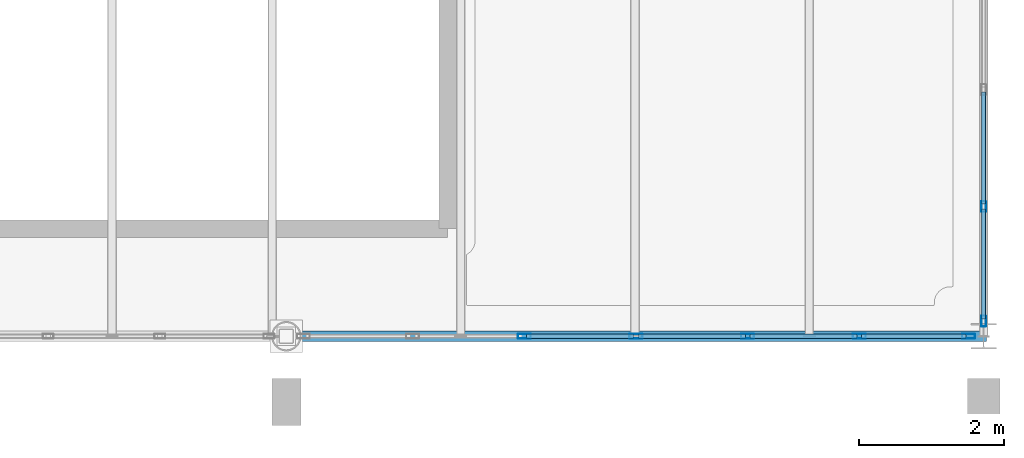
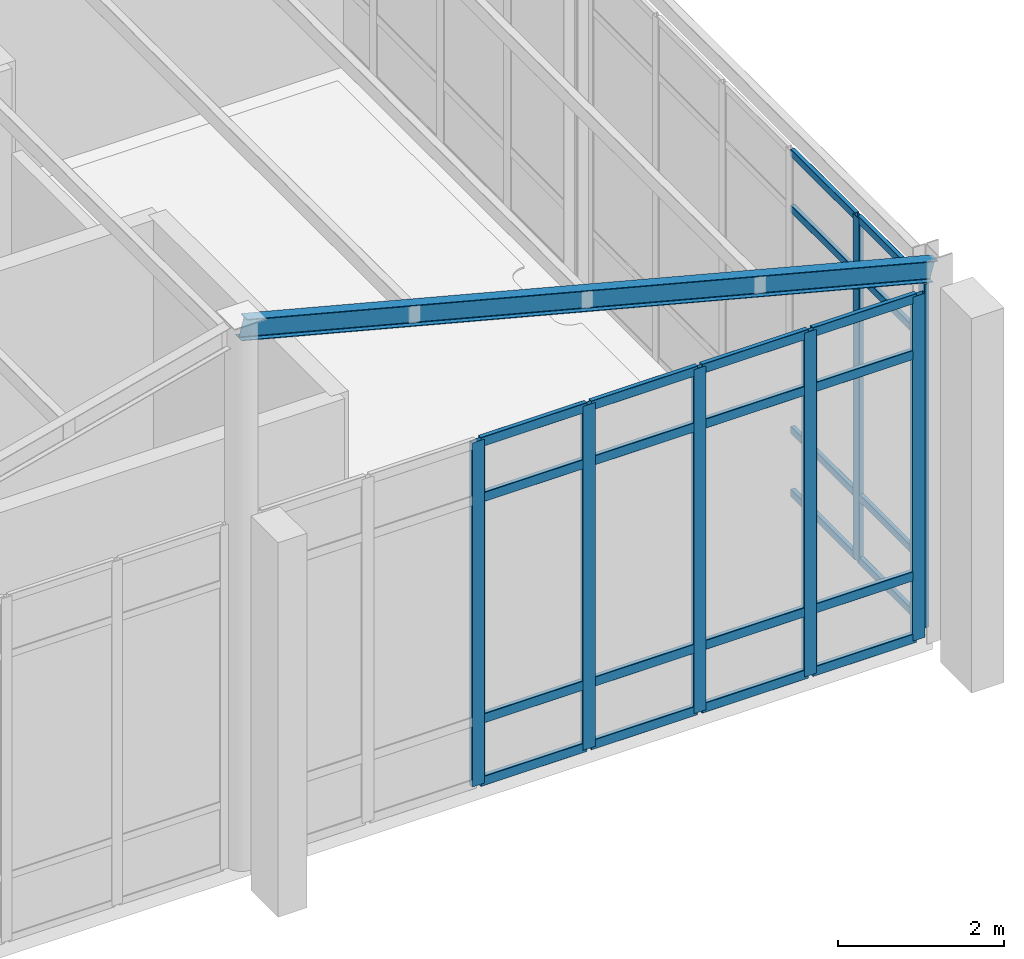
# One storey, part 13 of 121: 31 members, 1 beam, 2 elements without a shape of their own.
"""IFC4 building model written with IfcOpenShell, lengths in metres."""

from ifc_helpers import new_model, si_unit, direction, frame, origin, origin_2d, place, context, subcontext, project, spatial, hollow_rectangle, i_section, extrude, material, material_profile, profile_set, type_object, element, aggregate, save


model = new_model("IFC4")

# Units and contexts
model_context = context("Model", 3, precision=1e-05, world=origin(), true_north=direction((0.0, 1.0)))
body_context = subcontext(model_context, "Body", "Model", "MODEL_VIEW")
ifc_project = project(units=[si_unit("LENGTHUNIT", "METRE"), si_unit("AREAUNIT", "SQUARE_METRE"), si_unit("VOLUMEUNIT", "CUBIC_METRE"), si_unit("PLANEANGLEUNIT", "RADIAN"), si_unit("MASSUNIT", "GRAM", prefix="KILO")], contexts=[model_context])

# Site, building, storey
site_placement = place(None, origin())
site = spatial("IfcSite", under=ifc_project, at=site_placement, CompositionType="ELEMENT")
building_placement = place(site_placement, origin())
building = spatial("IfcBuilding", under=site, at=building_placement, Name="Canglan Escarpment Cableway Terminal", CompositionType="ELEMENT")
storey_placement = place(building_placement, frame((0.0, 0.0, 24.60009765625)))
storey = spatial("IfcBuildingStorey", under=building, at=storey_placement, Name="L05", CompositionType="ELEMENT", Elevation=24.60009765625)

# Beam
ifc_material_1 = material(Name="Steel Q355B", Category="steel")
ifc_material_profile_1 = material_profile(ifc_material_1, i_section(OverallWidth=0.14990234375, OverallDepth=0.300048828125, WebThickness=0.006591796875, FlangeThickness=0.009033203125, FilletRadius=0.012939453125, at=origin_2d()), Name="HN 300x150x6.5x9")
ifc_profile_set_1 = profile_set([ifc_material_profile_1], Name="Steel Q355B")
beam_type = type_object("IfcBeamType", Name="BM-GABLE-RAFTER-HN300", PredefinedType="BEAM", material=ifc_profile_set_1)
beam_placement = place(storey_placement, frame((156.800048828125, 8.0, 7.849853515625), z_axis=(0.9677232967, 0.0, -0.252015120628), x_axis=(0.0, 1.0, 0.0)))
element("IfcBeam", 1, at=beam_placement, inside=storey, type_object=beam_type, Name="Pedimented pavilion rafter RF-B2", PredefinedType="BEAM", context=body_context, shape_type="SweptSolid", body=[
    extrude(i_section(OverallWidth=0.14990234375, OverallDepth=0.300048828125, WebThickness=0.006591796875, FlangeThickness=0.009033203125, FilletRadius=0.012939453125, at=origin_2d()), origin(), (0.0, 0.0, 1.0), 9.919921875),
])

# Curtain wall, members
ifc_material_2 = material(Name="Anodized bronze aluminium and Low-E double glazing", Category="aluminium")
curtain_wall_type_1 = type_object("IfcCurtainWallType", Name="CW-BAY-8050x5050", PredefinedType="NOTDEFINED", material=ifc_material_2)
curtain_wall_1_placement = place(storey_placement, origin())
curtain_wall_1 = element("IfcCurtainWall", 2, at=curtain_wall_1_placement, inside=storey, type_object=curtain_wall_type_1, Name="Classical bay-between-piers glazed curtain wall CW-38", PredefinedType="NOTDEFINED")
ifc_material_3 = material(Name="Thermally broken anodized aluminium 6063-T6", Category="aluminium")
ifc_material_profile_2 = material_profile(ifc_material_3, hollow_rectangle(XDim=0.06494140625, YDim=0.14990234375, WallThickness=0.00341796875, InnerFilletRadius=0.00341796875, OuterFilletRadius=0.007080078125, at=origin_2d()), Name="ALU-MULL 65x150x3.5")
ifc_profile_set_2 = profile_set([ifc_material_profile_2], Name="Thermally broken anodized aluminium 6063-T6")
member_type_1 = type_object("IfcMemberType", Name="CWM-02", PredefinedType="MULLION", material=ifc_profile_set_2)
member_1_placement = place(storey_placement, frame((166.39990234375, 8.20751953125, 0.0), z_axis=(0.0, 0.0, 1.0), x_axis=(-1.0, 0.0, 0.0)))
member_1 = element("IfcMember", 3, at=member_1_placement, type_object=member_type_1, Name="CW-38 mullion 1", PredefinedType="MULLION", context=body_context, shape_type="SweptSolid", body=[
    extrude(hollow_rectangle(XDim=0.06494140625, YDim=0.14990234375, WallThickness=0.00341796875, InnerFilletRadius=0.00341796875, OuterFilletRadius=0.007080078125, at=origin_2d()), origin(), (0.0, 0.0, 1.0), 5.0498046875),
])
member_2_placement = place(storey_placement, frame((166.39990234375, 9.784912109375, 0.0), z_axis=(0.0, 0.0, 1.0), x_axis=(-1.0, 0.0, 0.0)))
member_2 = element("IfcMember", 4, at=member_2_placement, type_object=member_type_1, Name="CW-38 mullion 2", PredefinedType="MULLION", context=body_context, shape_type="SweptSolid", body=[
    extrude(hollow_rectangle(XDim=0.06494140625, YDim=0.14990234375, WallThickness=0.00341796875, InnerFilletRadius=0.00341796875, OuterFilletRadius=0.007080078125, at=origin_2d()), origin(), (0.0, 0.0, 1.0), 5.0498046875),
])

curtain_wall_type_2 = type_object("IfcCurtainWallType", Name="CW-BAY-9225x5050", PredefinedType="NOTDEFINED", material=ifc_material_2)
curtain_wall_2_placement = place(storey_placement, origin())
curtain_wall_2 = element("IfcCurtainWall", 5, at=curtain_wall_2_placement, inside=storey, type_object=curtain_wall_type_2, Name="Classical bay-between-piers glazed curtain wall CW-37", PredefinedType="NOTDEFINED")
ifc_material_profile_3 = material_profile(ifc_material_3, hollow_rectangle(XDim=0.06494140625, YDim=0.179931640625, WallThickness=0.00390625, InnerFilletRadius=0.00390625, OuterFilletRadius=0.008056640625, at=origin_2d()), Name="ALU-MULL 65x180x4")
ifc_profile_set_3 = profile_set([ifc_material_profile_3], Name="Thermally broken anodized aluminium 6063-T6")
member_type_2 = type_object("IfcMemberType", Name="CWM-03", PredefinedType="MULLION", material=ifc_profile_set_3)
member_3_placement = place(storey_placement, frame((160.0771484375, 8.0, 0.0), z_axis=(0.0, 0.0, 1.0), x_axis=(0.0, 1.0, 0.0)))
member_3 = element("IfcMember", 6, at=member_3_placement, type_object=member_type_2, Name="CW-37 mullion 3", PredefinedType="MULLION", context=body_context, shape_type="SweptSolid", body=[
    extrude(hollow_rectangle(XDim=0.06494140625, YDim=0.179931640625, WallThickness=0.00390625, InnerFilletRadius=0.00390625, OuterFilletRadius=0.008056640625, at=origin_2d()), origin(), (0.0, 0.0, 1.0), 5.0498046875),
])
member_4_placement = place(storey_placement, frame((161.614013671875, 8.0, 0.0), z_axis=(0.0, 0.0, 1.0), x_axis=(0.0, 1.0, 0.0)))
member_4 = element("IfcMember", 7, at=member_4_placement, type_object=member_type_2, Name="CW-37 mullion 4", PredefinedType="MULLION", context=body_context, shape_type="SweptSolid", body=[
    extrude(hollow_rectangle(XDim=0.06494140625, YDim=0.179931640625, WallThickness=0.00390625, InnerFilletRadius=0.00390625, OuterFilletRadius=0.008056640625, at=origin_2d()), origin(), (0.0, 0.0, 1.0), 5.0498046875),
])
member_5_placement = place(storey_placement, frame((163.151123046875, 8.0, 0.0), z_axis=(0.0, 0.0, 1.0), x_axis=(0.0, 1.0, 0.0)))
member_5 = element("IfcMember", 8, at=member_5_placement, type_object=member_type_2, Name="CW-37 mullion 5", PredefinedType="MULLION", context=body_context, shape_type="SweptSolid", body=[
    extrude(hollow_rectangle(XDim=0.06494140625, YDim=0.179931640625, WallThickness=0.00390625, InnerFilletRadius=0.00390625, OuterFilletRadius=0.008056640625, at=origin_2d()), origin(), (0.0, 0.0, 1.0), 5.0498046875),
])
member_6_placement = place(storey_placement, frame((164.68798828125, 8.0, 0.0), z_axis=(0.0, 0.0, 1.0), x_axis=(0.0, 1.0, 0.0)))
member_6 = element("IfcMember", 9, at=member_6_placement, type_object=member_type_2, Name="CW-37 mullion 6", PredefinedType="MULLION", context=body_context, shape_type="SweptSolid", body=[
    extrude(hollow_rectangle(XDim=0.06494140625, YDim=0.179931640625, WallThickness=0.00390625, InnerFilletRadius=0.00390625, OuterFilletRadius=0.008056640625, at=origin_2d()), origin(), (0.0, 0.0, 1.0), 5.0498046875),
])
member_7_placement = place(storey_placement, frame((166.1923828125, 8.0, 0.0), z_axis=(0.0, 0.0, 1.0), x_axis=(0.0, 1.0, 0.0)))
member_7 = element("IfcMember", 10, at=member_7_placement, type_object=member_type_2, Name="CW-37 mullion 7", PredefinedType="MULLION", context=body_context, shape_type="SweptSolid", body=[
    extrude(hollow_rectangle(XDim=0.06494140625, YDim=0.179931640625, WallThickness=0.00390625, InnerFilletRadius=0.00390625, OuterFilletRadius=0.008056640625, at=origin_2d()), origin(), (0.0, 0.0, 1.0), 5.0498046875),
])

# Member
ifc_material_profile_4 = material_profile(ifc_material_3, hollow_rectangle(XDim=0.06005859375, YDim=0.110107421875, WallThickness=0.0029296875, InnerFilletRadius=0.0029296875, OuterFilletRadius=0.006103515625, at=origin_2d()), Name="ALU-TRAN 60x110x3")
ifc_profile_set_4 = profile_set([ifc_material_profile_4], Name="Thermally broken anodized aluminium 6063-T6")
member_type_3 = type_object("IfcMemberType", Name="CWT-02", PredefinedType="USERDEFINED", material=ifc_profile_set_4)
member_8_placement = place(storey_placement, frame((166.39990234375, 8.239990234375, 0.02978515625), z_axis=(0.0, 1.0, 0.0), x_axis=(-1.0, 0.0, 0.0)))
member_8 = element("IfcMember", 11, at=member_8_placement, type_object=member_type_3, Name="CW-38 transom 1.1", ObjectType="TRANSOM", PredefinedType="USERDEFINED", context=body_context, shape_type="SweptSolid", body=[
    extrude(hollow_rectangle(XDim=0.06005859375, YDim=0.110107421875, WallThickness=0.0029296875, InnerFilletRadius=0.0029296875, OuterFilletRadius=0.006103515625, at=origin_2d()), origin(), (0.0, 0.0, 1.0), 1.512451171875),
])

member_9_placement = place(storey_placement, frame((166.39990234375, 8.239990234375, 0.949951171875), z_axis=(0.0, 1.0, 0.0), x_axis=(-1.0, 0.0, 0.0)))
member_9 = element("IfcMember", 12, at=member_9_placement, type_object=member_type_3, Name="CW-38 transom 1.2", ObjectType="TRANSOM", PredefinedType="USERDEFINED", context=body_context, shape_type="SweptSolid", body=[
    extrude(hollow_rectangle(XDim=0.06005859375, YDim=0.110107421875, WallThickness=0.0029296875, InnerFilletRadius=0.0029296875, OuterFilletRadius=0.006103515625, at=origin_2d()), origin(), (0.0, 0.0, 1.0), 1.512451171875),
])

member_10_placement = place(storey_placement, frame((166.39990234375, 8.239990234375, 4.199951171875), z_axis=(0.0, 1.0, 0.0), x_axis=(-1.0, 0.0, 0.0)))
member_10 = element("IfcMember", 13, at=member_10_placement, type_object=member_type_3, Name="CW-38 transom 1.3", ObjectType="TRANSOM", PredefinedType="USERDEFINED", context=body_context, shape_type="SweptSolid", body=[
    extrude(hollow_rectangle(XDim=0.06005859375, YDim=0.110107421875, WallThickness=0.0029296875, InnerFilletRadius=0.0029296875, OuterFilletRadius=0.006103515625, at=origin_2d()), origin(), (0.0, 0.0, 1.0), 1.512451171875),
])

member_11_placement = place(storey_placement, frame((166.39990234375, 8.239990234375, 5.02001953125), z_axis=(0.0, 1.0, 0.0), x_axis=(-1.0, 0.0, 0.0)))
member_11 = element("IfcMember", 14, at=member_11_placement, type_object=member_type_3, Name="CW-38 transom 1.4", ObjectType="TRANSOM", PredefinedType="USERDEFINED", context=body_context, shape_type="SweptSolid", body=[
    extrude(hollow_rectangle(XDim=0.06005859375, YDim=0.110107421875, WallThickness=0.0029296875, InnerFilletRadius=0.0029296875, OuterFilletRadius=0.006103515625, at=origin_2d()), origin(), (0.0, 0.0, 1.0), 1.512451171875),
])

member_12_placement = place(storey_placement, frame((166.39990234375, 9.8173828125, 0.02978515625), z_axis=(0.0, 1.0, 0.0), x_axis=(-1.0, 0.0, 0.0)))
member_12 = element("IfcMember", 15, at=member_12_placement, type_object=member_type_3, Name="CW-38 transom 2.1", ObjectType="TRANSOM", PredefinedType="USERDEFINED", context=body_context, shape_type="SweptSolid", body=[
    extrude(hollow_rectangle(XDim=0.06005859375, YDim=0.110107421875, WallThickness=0.0029296875, InnerFilletRadius=0.0029296875, OuterFilletRadius=0.006103515625, at=origin_2d()), origin(), (0.0, 0.0, 1.0), 1.545166015625),
])

member_13_placement = place(storey_placement, frame((166.39990234375, 9.8173828125, 0.949951171875), z_axis=(0.0, 1.0, 0.0), x_axis=(-1.0, 0.0, 0.0)))
member_13 = element("IfcMember", 16, at=member_13_placement, type_object=member_type_3, Name="CW-38 transom 2.2", ObjectType="TRANSOM", PredefinedType="USERDEFINED", context=body_context, shape_type="SweptSolid", body=[
    extrude(hollow_rectangle(XDim=0.06005859375, YDim=0.110107421875, WallThickness=0.0029296875, InnerFilletRadius=0.0029296875, OuterFilletRadius=0.006103515625, at=origin_2d()), origin(), (0.0, 0.0, 1.0), 1.545166015625),
])

member_14_placement = place(storey_placement, frame((166.39990234375, 9.8173828125, 4.199951171875), z_axis=(0.0, 1.0, 0.0), x_axis=(-1.0, 0.0, 0.0)))
member_14 = element("IfcMember", 17, at=member_14_placement, type_object=member_type_3, Name="CW-38 transom 2.3", ObjectType="TRANSOM", PredefinedType="USERDEFINED", context=body_context, shape_type="SweptSolid", body=[
    extrude(hollow_rectangle(XDim=0.06005859375, YDim=0.110107421875, WallThickness=0.0029296875, InnerFilletRadius=0.0029296875, OuterFilletRadius=0.006103515625, at=origin_2d()), origin(), (0.0, 0.0, 1.0), 1.545166015625),
])

member_15_placement = place(storey_placement, frame((166.39990234375, 9.8173828125, 5.02001953125), z_axis=(0.0, 1.0, 0.0), x_axis=(-1.0, 0.0, 0.0)))
member_15 = element("IfcMember", 18, at=member_15_placement, type_object=member_type_3, Name="CW-38 transom 2.4", ObjectType="TRANSOM", PredefinedType="USERDEFINED", context=body_context, shape_type="SweptSolid", body=[
    extrude(hollow_rectangle(XDim=0.06005859375, YDim=0.110107421875, WallThickness=0.0029296875, InnerFilletRadius=0.0029296875, OuterFilletRadius=0.006103515625, at=origin_2d()), origin(), (0.0, 0.0, 1.0), 1.545166015625),
])

aggregate(curtain_wall_1, [member_1, member_2, member_8, member_9, member_10, member_11, member_12, member_13, member_14, member_15])

ifc_material_profile_5 = material_profile(ifc_material_3, hollow_rectangle(XDim=0.06494140625, YDim=0.139892578125, WallThickness=0.00341796875, InnerFilletRadius=0.00341796875, OuterFilletRadius=0.007080078125, at=origin_2d()), Name="ALU-TRAN 65x140x3.5")
ifc_profile_set_5 = profile_set([ifc_material_profile_5], Name="Thermally broken anodized aluminium 6063-T6")
member_type_4 = type_object("IfcMemberType", Name="CWT-03", PredefinedType="USERDEFINED", material=ifc_profile_set_5)
member_16_placement = place(storey_placement, frame((160.109619140625, 8.0, 0.032470703125), z_axis=(1.0, 0.0, 0.0), x_axis=(0.0, 1.0, 0.0)))
member_16 = element("IfcMember", 19, at=member_16_placement, type_object=member_type_4, Name="CW-37 transom 3.1", ObjectType="TRANSOM", PredefinedType="USERDEFINED", context=body_context, shape_type="SweptSolid", body=[
    extrude(hollow_rectangle(XDim=0.06494140625, YDim=0.139892578125, WallThickness=0.00341796875, InnerFilletRadius=0.00341796875, OuterFilletRadius=0.007080078125, at=origin_2d()), origin(), (0.0, 0.0, 1.0), 1.471923828125),
])

member_17_placement = place(storey_placement, frame((160.109619140625, 8.0, 0.949951171875), z_axis=(1.0, 0.0, 0.0), x_axis=(0.0, 1.0, 0.0)))
member_17 = element("IfcMember", 20, at=member_17_placement, type_object=member_type_4, Name="CW-37 transom 3.2", ObjectType="TRANSOM", PredefinedType="USERDEFINED", context=body_context, shape_type="SweptSolid", body=[
    extrude(hollow_rectangle(XDim=0.06494140625, YDim=0.139892578125, WallThickness=0.00341796875, InnerFilletRadius=0.00341796875, OuterFilletRadius=0.007080078125, at=origin_2d()), origin(), (0.0, 0.0, 1.0), 1.471923828125),
])

member_18_placement = place(storey_placement, frame((160.109619140625, 8.0, 4.199951171875), z_axis=(1.0, 0.0, 0.0), x_axis=(0.0, 1.0, 0.0)))
member_18 = element("IfcMember", 21, at=member_18_placement, type_object=member_type_4, Name="CW-37 transom 3.3", ObjectType="TRANSOM", PredefinedType="USERDEFINED", context=body_context, shape_type="SweptSolid", body=[
    extrude(hollow_rectangle(XDim=0.06494140625, YDim=0.139892578125, WallThickness=0.00341796875, InnerFilletRadius=0.00341796875, OuterFilletRadius=0.007080078125, at=origin_2d()), origin(), (0.0, 0.0, 1.0), 1.471923828125),
])

member_19_placement = place(storey_placement, frame((160.109619140625, 8.0, 5.017333984375), z_axis=(1.0, 0.0, 0.0), x_axis=(0.0, 1.0, 0.0)))
member_19 = element("IfcMember", 22, at=member_19_placement, type_object=member_type_4, Name="CW-37 transom 3.4", ObjectType="TRANSOM", PredefinedType="USERDEFINED", context=body_context, shape_type="SweptSolid", body=[
    extrude(hollow_rectangle(XDim=0.06494140625, YDim=0.139892578125, WallThickness=0.00341796875, InnerFilletRadius=0.00341796875, OuterFilletRadius=0.007080078125, at=origin_2d()), origin(), (0.0, 0.0, 1.0), 1.471923828125),
])

member_20_placement = place(storey_placement, frame((161.646484375, 8.0, 0.032470703125), z_axis=(1.0, 0.0, 0.0), x_axis=(0.0, 1.0, 0.0)))
member_20 = element("IfcMember", 23, at=member_20_placement, type_object=member_type_4, Name="CW-37 transom 4.1", ObjectType="TRANSOM", PredefinedType="USERDEFINED", context=body_context, shape_type="SweptSolid", body=[
    extrude(hollow_rectangle(XDim=0.06494140625, YDim=0.139892578125, WallThickness=0.00341796875, InnerFilletRadius=0.00341796875, OuterFilletRadius=0.007080078125, at=origin_2d()), origin(), (0.0, 0.0, 1.0), 1.47216796875),
])

member_21_placement = place(storey_placement, frame((161.646484375, 8.0, 0.949951171875), z_axis=(1.0, 0.0, 0.0), x_axis=(0.0, 1.0, 0.0)))
member_21 = element("IfcMember", 24, at=member_21_placement, type_object=member_type_4, Name="CW-37 transom 4.2", ObjectType="TRANSOM", PredefinedType="USERDEFINED", context=body_context, shape_type="SweptSolid", body=[
    extrude(hollow_rectangle(XDim=0.06494140625, YDim=0.139892578125, WallThickness=0.00341796875, InnerFilletRadius=0.00341796875, OuterFilletRadius=0.007080078125, at=origin_2d()), origin(), (0.0, 0.0, 1.0), 1.47216796875),
])

member_22_placement = place(storey_placement, frame((161.646484375, 8.0, 4.199951171875), z_axis=(1.0, 0.0, 0.0), x_axis=(0.0, 1.0, 0.0)))
member_22 = element("IfcMember", 25, at=member_22_placement, type_object=member_type_4, Name="CW-37 transom 4.3", ObjectType="TRANSOM", PredefinedType="USERDEFINED", context=body_context, shape_type="SweptSolid", body=[
    extrude(hollow_rectangle(XDim=0.06494140625, YDim=0.139892578125, WallThickness=0.00341796875, InnerFilletRadius=0.00341796875, OuterFilletRadius=0.007080078125, at=origin_2d()), origin(), (0.0, 0.0, 1.0), 1.47216796875),
])

member_23_placement = place(storey_placement, frame((161.646484375, 8.0, 5.017333984375), z_axis=(1.0, 0.0, 0.0), x_axis=(0.0, 1.0, 0.0)))
member_23 = element("IfcMember", 26, at=member_23_placement, type_object=member_type_4, Name="CW-37 transom 4.4", ObjectType="TRANSOM", PredefinedType="USERDEFINED", context=body_context, shape_type="SweptSolid", body=[
    extrude(hollow_rectangle(XDim=0.06494140625, YDim=0.139892578125, WallThickness=0.00341796875, InnerFilletRadius=0.00341796875, OuterFilletRadius=0.007080078125, at=origin_2d()), origin(), (0.0, 0.0, 1.0), 1.47216796875),
])

member_24_placement = place(storey_placement, frame((163.18359375, 8.0, 0.032470703125), z_axis=(1.0, 0.0, 0.0), x_axis=(0.0, 1.0, 0.0)))
member_24 = element("IfcMember", 27, at=member_24_placement, type_object=member_type_4, Name="CW-37 transom 5.1", ObjectType="TRANSOM", PredefinedType="USERDEFINED", context=body_context, shape_type="SweptSolid", body=[
    extrude(hollow_rectangle(XDim=0.06494140625, YDim=0.139892578125, WallThickness=0.00341796875, InnerFilletRadius=0.00341796875, OuterFilletRadius=0.007080078125, at=origin_2d()), origin(), (0.0, 0.0, 1.0), 1.471923828125),
])

member_25_placement = place(storey_placement, frame((163.18359375, 8.0, 0.949951171875), z_axis=(1.0, 0.0, 0.0), x_axis=(0.0, 1.0, 0.0)))
member_25 = element("IfcMember", 28, at=member_25_placement, type_object=member_type_4, Name="CW-37 transom 5.2", ObjectType="TRANSOM", PredefinedType="USERDEFINED", context=body_context, shape_type="SweptSolid", body=[
    extrude(hollow_rectangle(XDim=0.06494140625, YDim=0.139892578125, WallThickness=0.00341796875, InnerFilletRadius=0.00341796875, OuterFilletRadius=0.007080078125, at=origin_2d()), origin(), (0.0, 0.0, 1.0), 1.471923828125),
])

member_26_placement = place(storey_placement, frame((163.18359375, 8.0, 4.199951171875), z_axis=(1.0, 0.0, 0.0), x_axis=(0.0, 1.0, 0.0)))
member_26 = element("IfcMember", 29, at=member_26_placement, type_object=member_type_4, Name="CW-37 transom 5.3", ObjectType="TRANSOM", PredefinedType="USERDEFINED", context=body_context, shape_type="SweptSolid", body=[
    extrude(hollow_rectangle(XDim=0.06494140625, YDim=0.139892578125, WallThickness=0.00341796875, InnerFilletRadius=0.00341796875, OuterFilletRadius=0.007080078125, at=origin_2d()), origin(), (0.0, 0.0, 1.0), 1.471923828125),
])

member_27_placement = place(storey_placement, frame((163.18359375, 8.0, 5.017333984375), z_axis=(1.0, 0.0, 0.0), x_axis=(0.0, 1.0, 0.0)))
member_27 = element("IfcMember", 30, at=member_27_placement, type_object=member_type_4, Name="CW-37 transom 5.4", ObjectType="TRANSOM", PredefinedType="USERDEFINED", context=body_context, shape_type="SweptSolid", body=[
    extrude(hollow_rectangle(XDim=0.06494140625, YDim=0.139892578125, WallThickness=0.00341796875, InnerFilletRadius=0.00341796875, OuterFilletRadius=0.007080078125, at=origin_2d()), origin(), (0.0, 0.0, 1.0), 1.471923828125),
])

member_28_placement = place(storey_placement, frame((164.720458984375, 8.0, 0.032470703125), z_axis=(1.0, 0.0, 0.0), x_axis=(0.0, 1.0, 0.0)))
member_28 = element("IfcMember", 31, at=member_28_placement, type_object=member_type_4, Name="CW-37 transom 6.1", ObjectType="TRANSOM", PredefinedType="USERDEFINED", context=body_context, shape_type="SweptSolid", body=[
    extrude(hollow_rectangle(XDim=0.06494140625, YDim=0.139892578125, WallThickness=0.00341796875, InnerFilletRadius=0.00341796875, OuterFilletRadius=0.007080078125, at=origin_2d()), origin(), (0.0, 0.0, 1.0), 1.439453125),
])

member_29_placement = place(storey_placement, frame((164.720458984375, 8.0, 0.949951171875), z_axis=(1.0, 0.0, 0.0), x_axis=(0.0, 1.0, 0.0)))
member_29 = element("IfcMember", 32, at=member_29_placement, type_object=member_type_4, Name="CW-37 transom 6.2", ObjectType="TRANSOM", PredefinedType="USERDEFINED", context=body_context, shape_type="SweptSolid", body=[
    extrude(hollow_rectangle(XDim=0.06494140625, YDim=0.139892578125, WallThickness=0.00341796875, InnerFilletRadius=0.00341796875, OuterFilletRadius=0.007080078125, at=origin_2d()), origin(), (0.0, 0.0, 1.0), 1.439453125),
])

member_30_placement = place(storey_placement, frame((164.720458984375, 8.0, 4.199951171875), z_axis=(1.0, 0.0, 0.0), x_axis=(0.0, 1.0, 0.0)))
member_30 = element("IfcMember", 33, at=member_30_placement, type_object=member_type_4, Name="CW-37 transom 6.3", ObjectType="TRANSOM", PredefinedType="USERDEFINED", context=body_context, shape_type="SweptSolid", body=[
    extrude(hollow_rectangle(XDim=0.06494140625, YDim=0.139892578125, WallThickness=0.00341796875, InnerFilletRadius=0.00341796875, OuterFilletRadius=0.007080078125, at=origin_2d()), origin(), (0.0, 0.0, 1.0), 1.439453125),
])

member_31_placement = place(storey_placement, frame((164.720458984375, 8.0, 5.017333984375), z_axis=(1.0, 0.0, 0.0), x_axis=(0.0, 1.0, 0.0)))
member_31 = element("IfcMember", 34, at=member_31_placement, type_object=member_type_4, Name="CW-37 transom 6.4", ObjectType="TRANSOM", PredefinedType="USERDEFINED", context=body_context, shape_type="SweptSolid", body=[
    extrude(hollow_rectangle(XDim=0.06494140625, YDim=0.139892578125, WallThickness=0.00341796875, InnerFilletRadius=0.00341796875, OuterFilletRadius=0.007080078125, at=origin_2d()), origin(), (0.0, 0.0, 1.0), 1.439453125),
])

aggregate(curtain_wall_2, [member_3, member_4, member_5, member_6, member_7, member_16, member_17, member_18, member_19, member_20, member_21, member_22, member_23, member_24, member_25, member_26, member_27, member_28, member_29, member_30, member_31])

save(model, "model.ifc")
